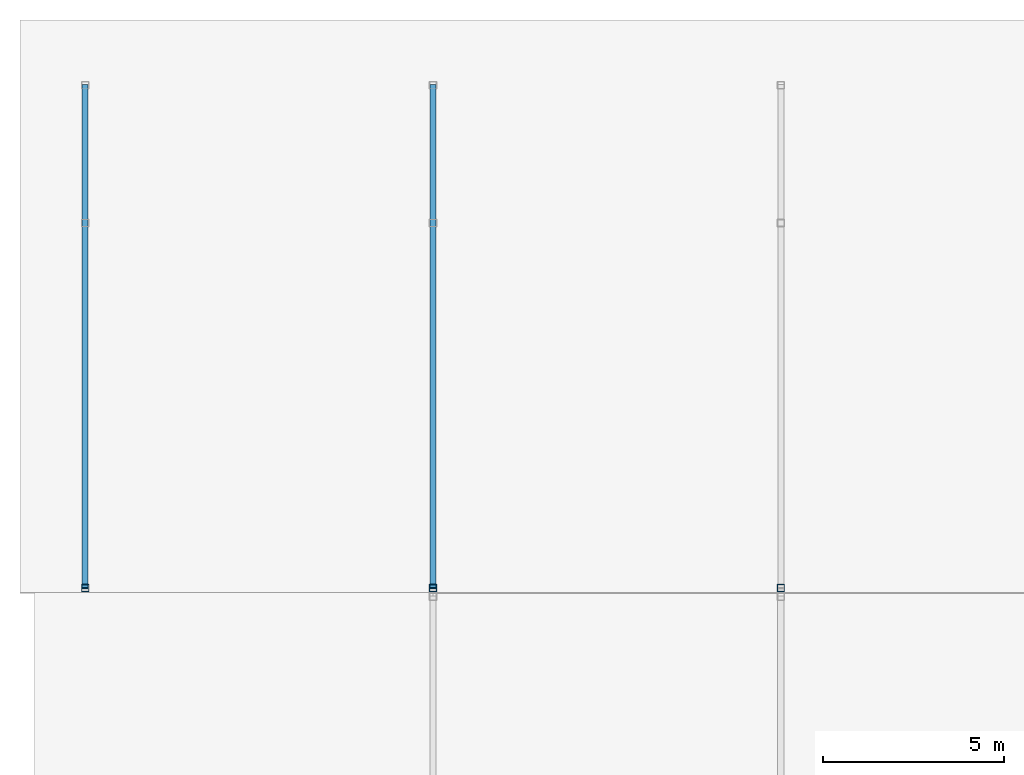
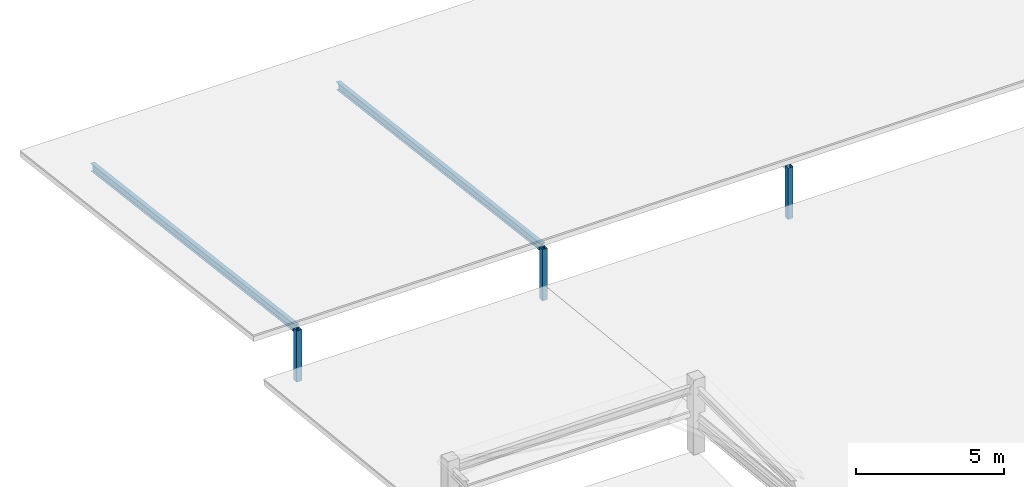
# One storey, part 3 of 11: 5 members.
"""IFC4 building model written with IfcOpenShell, lengths in metres."""

from ifc_helpers import new_model, si_unit, direction, frame, origin, origin_2d, place, context, subcontext, project, spatial, hollow_rectangle, i_section, extrude, material, material_profile, profile_set, type_object, element, save


model = new_model("IFC4")

# Units and contexts
model_context = context("Model", 3, precision=1e-05, world=origin(), true_north=direction((0.0, 1.0)))
body_context = subcontext(model_context, "Body", "Model", "MODEL_VIEW")
ifc_project = project(units=[si_unit("LENGTHUNIT", "METRE"), si_unit("AREAUNIT", "SQUARE_METRE"), si_unit("VOLUMEUNIT", "CUBIC_METRE"), si_unit("PLANEANGLEUNIT", "RADIAN"), si_unit("MASSUNIT", "GRAM", prefix="KILO")], contexts=[model_context])

# Site, building, storey
site_placement = place(None, origin())
site = spatial("IfcSite", under=ifc_project, at=site_placement, CompositionType="ELEMENT")
building_placement = place(site_placement, origin())
building = spatial("IfcBuilding", under=site, at=building_placement, Name="Vondelvale Polytechnic", CompositionType="ELEMENT")
storey_placement = place(building_placement, frame((0.0, 0.0, 34.800048828125)))
storey = spatial("IfcBuildingStorey", under=building, at=storey_placement, Name="Roof", CompositionType="ELEMENT", Elevation=34.800048828125)

# Members
ifc_material_1 = material(Name="Steel 300PLUS (fy = 300 MPa)", Category="steel")
ifc_material_profile_1 = material_profile(ifc_material_1, i_section(OverallWidth=0.166015625, OverallDepth=0.306884765625, WebThickness=0.006591796875, FlangeThickness=0.01171875, FilletRadius=0.011474609375, at=origin_2d()), Name="310UB46.2")
ifc_profile_set_1 = profile_set([ifc_material_profile_1], Name="Steel 300PLUS (fy = 300 MPa)")
member_type_1 = type_object("IfcMemberType", Name="RAFTER UB310", PredefinedType="RAFTER", material=ifc_profile_set_1)
for number, where, z_axis, x_axis, name in (
    (1, (0.0, 20.52001953125, 2.1240234375), (0.0, 0.992468980483, -0.122496215367), (-1.0, 0.0, 0.0), "Corner wing roof rafter 2"),
    (2, (9.60009765625, 20.52001953125, 2.1240234375), (0.0, 0.992468980483, -0.122496215367), (-1.0, 0.0, 0.0), "Corner wing roof rafter 2"),
):
    element("IfcMember", number, at=place(storey_placement, frame(where, z_axis=z_axis, x_axis=x_axis)), inside=storey, type_object=member_type_1, Name=name, PredefinedType="RAFTER", context=body_context, shape_type="SweptSolid", body=[
        extrude(i_section(OverallWidth=0.166015625, OverallDepth=0.306884765625, WebThickness=0.006591796875, FlangeThickness=0.01171875, FilletRadius=0.011474609375, at=origin_2d()), origin(), (0.0, 0.0, 1.0), 13.985107421875),
    ])
ifc_material_2 = material(Name="Steel C350L0 (fy = 350 MPa)", Category="steel")
ifc_material_profile_2 = material_profile(ifc_material_2, hollow_rectangle(XDim=0.199951171875, YDim=0.199951171875, WallThickness=0.009033203125, at=origin_2d()), Name="200x200x9.0SHS")
ifc_profile_set_2 = profile_set([ifc_material_profile_2], Name="Steel C350L0 (fy = 350 MPa)")
member_type_2 = type_object("IfcMemberType", Name="ROOF TRUSS POST 200SHS", PredefinedType="POST", material=ifc_profile_set_2)
for number, where, z_axis, x_axis, name in (
    (3, (0.0, 20.52001953125, 0.0), (0.0, 0.0, 1.0), (1.0, 0.0, 0.0), "Corner wing roof post 2"),
    (4, (9.60009765625, 20.52001953125, 0.0), (0.0, 0.0, 1.0), (1.0, 0.0, 0.0), "Corner wing roof post 2"),
    (5, (19.199951171875, 20.52001953125, 0.0), (0.0, 0.0, 1.0), (1.0, 0.0, 0.0), "Corner wing roof post 2"),
):
    element("IfcMember", number, at=place(storey_placement, frame(where, z_axis=z_axis, x_axis=x_axis)), inside=storey, type_object=member_type_2, Name=name, PredefinedType="POST", context=body_context, shape_type="SweptSolid", body=[
        extrude(hollow_rectangle(XDim=0.199951171875, YDim=0.199951171875, WallThickness=0.009033203125, at=origin_2d()), origin(), (0.0, 0.0, 1.0), 2.1240234375),
    ])

save(model, "model.ifc")
